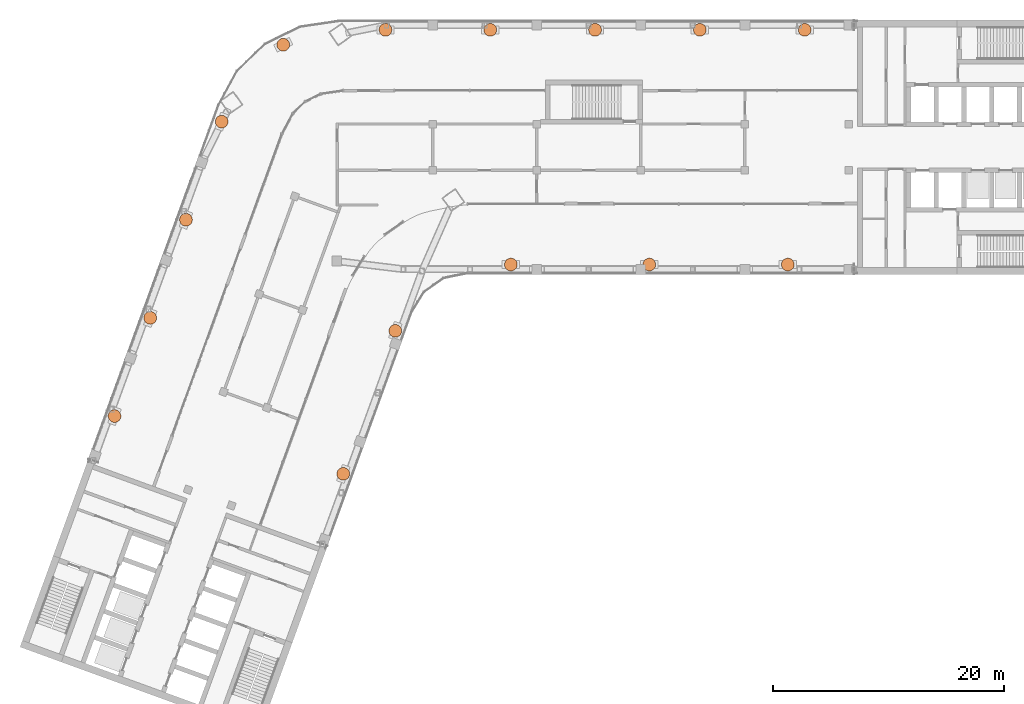
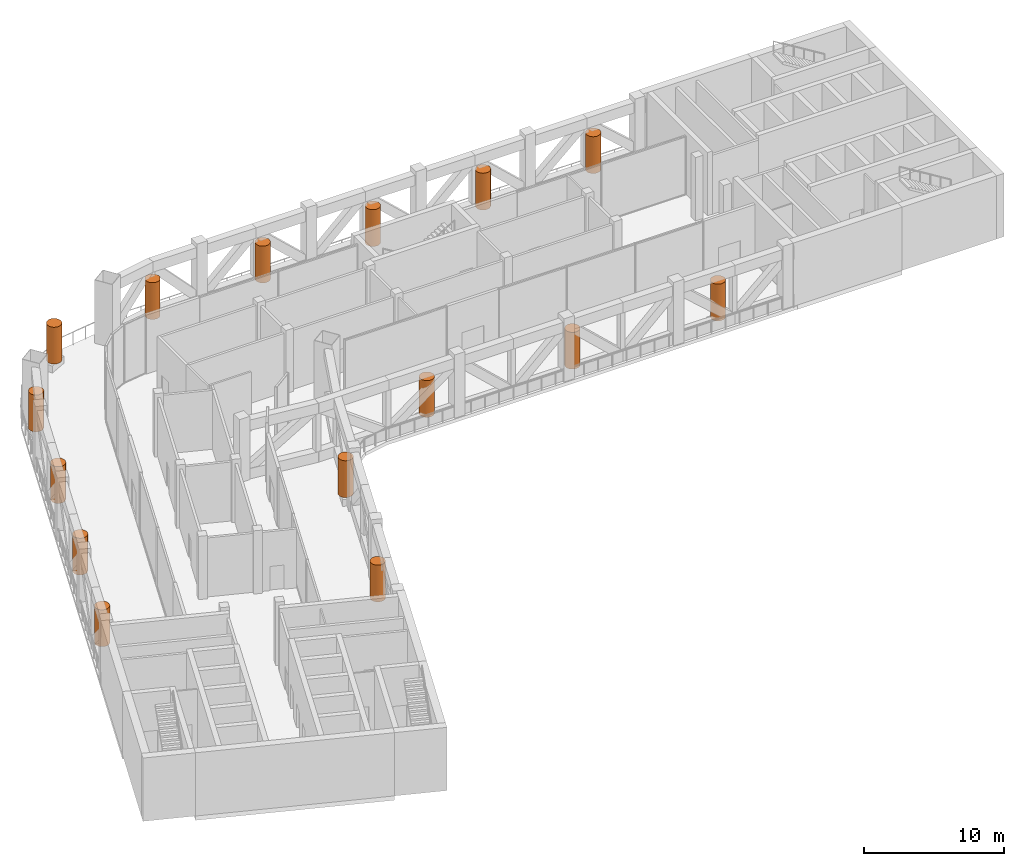
# One storey, part 19 of 19: 15 geographic elements.
"""IFC4 building model written with IfcOpenShell, lengths in metres."""

import ifcopenshell
import ifcopenshell.guid

model = None  # the IFC model being written
_history = None  # IfcOwnerHistory: only IFC2X3 demands one
_inside = {}  # id of a spatial element -> (the spatial element, [elements in it])
_under = {}  # id of a project, library or spatial element -> (it, [spatial elements below it])
_declared = {}  # id of a project -> (the project, [libraries it declares])
_typed = {}  # id of a type object -> (the type object, [elements of that type])
_made_of = {}  # id of a material, layer set ... -> (it, [elements and type objects made of it])


def new_model(schema):
    """Start an empty IFC model of exactly this schema.

    Asked for "IFC4X3", IfcOpenShell would pick the latest addendum, in which some entities
    have other attributes; the version numbers below select the first issue.
    IFC2X3 requires an IfcOwnerHistory on every rooted entity: one is made here for all.
    """
    global model, _history
    if schema == "IFC4X3":
        model = ifcopenshell.file(schema_version=(4, 3, 0, 0))
    else:
        model = ifcopenshell.file(schema=schema)
    _inside.clear()
    _under.clear()
    _declared.clear()
    _typed.clear()
    _made_of.clear()
    _history = None
    if model.schema == "IFC2X3":
        org = make("IfcOrganization", Name="unknown")
        user = make(
            "IfcPersonAndOrganization",
            ThePerson=make("IfcPerson", FamilyName="unknown"),
            TheOrganization=org,
        )
        app = make(
            "IfcApplication",
            ApplicationDeveloper=org,
            Version="unknown",
            ApplicationFullName="unknown",
            ApplicationIdentifier="unknown",
        )
        _history = make(
            "IfcOwnerHistory",
            OwningUser=user,
            OwningApplication=app,
            ChangeAction="ADDED",
            CreationDate=0,
        )
    return model


def make(cls, **values):
    """One entity of the class cls with the attributes given. An attribute that is None is left unset."""
    return model.create_entity(
        cls, **{name: value for name, value in values.items() if value is not None}
    )


def rooted(cls, **values):
    """An entity with a GlobalId (a new one), such as an element, a storey or a relation."""
    return make(cls, GlobalId=ifcopenshell.guid.new(), OwnerHistory=_history, **values)


def si_unit(unit_type, name, prefix=None):
    """IfcSIUnit, for example si_unit("LENGTHUNIT", "METRE", prefix="MILLI")."""
    return make("IfcSIUnit", UnitType=unit_type, Prefix=prefix, Name=name)


def assignment(units):
    """IfcUnitAssignment: the units of a project."""
    return None if units is None else make("IfcUnitAssignment", Units=units)


def point(xyz):
    """IfcCartesianPoint."""
    return None if xyz is None else make("IfcCartesianPoint", Coordinates=xyz)


def direction(xyz):
    """IfcDirection."""
    return None if xyz is None else make("IfcDirection", DirectionRatios=xyz)


def frame(location, z_axis=None, x_axis=None):
    """IfcAxis2Placement3D, a coordinate frame: its origin and axes. An axis left out is left unset."""
    return make(
        "IfcAxis2Placement3D",
        Location=point(location),
        Axis=direction(z_axis),
        RefDirection=direction(x_axis),
    )


def frame_2d(location, x_axis=None):
    """IfcAxis2Placement2D, a coordinate frame in the plane: its origin and x axis."""
    return make(
        "IfcAxis2Placement2D", Location=point(location), RefDirection=direction(x_axis)
    )


def origin():
    """The frame at (0, 0, 0) with its axes left unset."""
    return frame((0.0, 0.0, 0.0))


def origin_2d():
    """The frame at (0, 0) in the plane with its x axis left unset."""
    return frame_2d((0.0, 0.0))


def place(relative_to, where):
    """IfcLocalPlacement: puts the frame where relative to a parent placement (None: the world)."""
    return make(
        "IfcLocalPlacement", PlacementRelTo=relative_to, RelativePlacement=where
    )


def context(
    kind, dimensions, precision=None, world=None, true_north=None, identifier=None
):
    """IfcGeometricRepresentationContext, for example the 3D "Model" context."""
    return make(
        "IfcGeometricRepresentationContext",
        ContextIdentifier=identifier,
        ContextType=kind,
        CoordinateSpaceDimension=dimensions,
        Precision=precision,
        WorldCoordinateSystem=world,
        TrueNorth=true_north,
    )


def subcontext(parent, identifier, kind, view, scale=None):
    """IfcGeometricRepresentationSubContext, for example "Body" below "Model"."""
    return make(
        "IfcGeometricRepresentationSubContext",
        ContextIdentifier=identifier,
        ContextType=kind,
        ParentContext=parent,
        TargetScale=scale,
        TargetView=view,
    )


def project(units=None, contexts=None):
    """IfcProject with its units and contexts."""
    return rooted(
        "IfcProject",
        Name="project",
        RepresentationContexts=contexts,
        UnitsInContext=assignment(units),
    )


def spatial(cls, under=None, at=None, **own):
    """A site, building, storey or space (cls), placed at a placement, below another one or the project."""
    s = rooted(cls, ObjectPlacement=at, **own)
    if under is not None:
        _under.setdefault(under.id(), (under, []))[1].append(s)
    return s


def profile(cls, at=None, kind="AREA", **sizes):
    """A parametric profile (cls). Its sizes go by their IFC names, for example OverallWidth=200.0."""
    return make(cls, ProfileType=kind, Position=at, **sizes)


def circle(**sizes):
    """IfcCircleProfileDef."""
    return profile("IfcCircleProfileDef", **sizes)


def extrude(swept, where, along, depth):
    """IfcExtrudedAreaSolid: the profile swept, set in the frame where, extruded along a direction by depth."""
    return make(
        "IfcExtrudedAreaSolid",
        SweptArea=swept,
        Position=where,
        ExtrudedDirection=direction(along),
        Depth=depth,
    )


def shape(context_of_items, identifier, shape_type, items):
    """IfcShapeRepresentation: the items that make up one representation, for example the "Body"."""
    return make(
        "IfcShapeRepresentation",
        ContextOfItems=context_of_items,
        RepresentationIdentifier=identifier,
        RepresentationType=shape_type,
        Items=items,
    )


def made_of(thing, what):
    """Note that an element or type object is made of a material, layer set ...; save() writes the relation."""
    if what is not None:
        _made_of.setdefault(what.id(), (what, []))[1].append(thing)
    return thing


def element(
    cls,
    number,
    at=None,
    inside=None,
    cuts=None,
    type_object=None,
    material=None,
    context=None,
    identifier="Body",
    shape_type=None,
    held_by="IfcProductDefinitionShape",
    body=None,
    shapes=None,
    **own,
):
    """One element of the class cls, such as IfcWall. Its Tag is "e" and its number.

    at: its placement. inside: the storey or other place that contains it. cuts: it is an
    opening in that element (IfcRelVoidsElement). A single representation is given by context,
    identifier, shape_type and body (its items); several are given by shapes. held_by: the class
    of the entity that holds the representations. save() writes the other relations.
    """
    e = rooted(cls, Tag="e%d" % number, ObjectPlacement=at, **own)
    if body is not None:
        shapes = [shape(context, identifier, shape_type, body)]
    if shapes is not None:
        e.Representation = make(held_by, Representations=shapes)
    if inside is not None:
        _inside.setdefault(inside.id(), (inside, []))[1].append(e)
    if cuts is not None:
        rooted(
            "IfcRelVoidsElement", RelatingBuildingElement=cuts, RelatedOpeningElement=e
        )
    if type_object is not None:
        _typed.setdefault(type_object.id(), (type_object, []))[1].append(e)
    return made_of(e, material)


def aggregate(whole, parts):
    """IfcRelAggregates: a whole, such as a stair, and the parts it consists of."""
    return rooted("IfcRelAggregates", RelatingObject=whole, RelatedObjects=parts)


def save(model, path):
    """Write the relations noted so far, then the file.

    IfcRelAggregates (storeys below a building ...), IfcRelContainedInSpatialStructure (elements
    in a storey), IfcRelDefinesByType, IfcRelAssociatesMaterial and IfcRelDeclares: one each for
    every whole, place, type object, material and project.
    """
    for whole, parts in _under.values():
        aggregate(whole, parts)
    for where, things in _inside.values():
        rooted(
            "IfcRelContainedInSpatialStructure",
            RelatedElements=things,
            RelatingStructure=where,
        )
    for kind, things in _typed.values():
        rooted("IfcRelDefinesByType", RelatedObjects=things, RelatingType=kind)
    for what, things in _made_of.values():
        rooted("IfcRelAssociatesMaterial", RelatedObjects=things, RelatingMaterial=what)
    for by, libraries in _declared.values():
        rooted("IfcRelDeclares", RelatingContext=by, RelatedDefinitions=libraries)
    model.write(path)


model = new_model("IFC4")

# Units and contexts
model_context = context("Model", 3, precision=1e-05, world=origin(), true_north=direction((0.0, 1.0)))
body_context = subcontext(model_context, "Body", "Model", "MODEL_VIEW")
ifc_project = project(units=[si_unit("LENGTHUNIT", "METRE"), si_unit("AREAUNIT", "SQUARE_METRE"), si_unit("VOLUMEUNIT", "CUBIC_METRE"), si_unit("PLANEANGLEUNIT", "RADIAN"), si_unit("MASSUNIT", "GRAM", prefix="KILO")], contexts=[model_context])

# Site, building, storey
site_placement = place(None, origin())
site = spatial("IfcSite", under=ifc_project, at=site_placement, CompositionType="ELEMENT")
building_placement = place(site_placement, origin())
building = spatial("IfcBuilding", under=site, at=building_placement, Name="Skarvind Civic Tower", CompositionType="ELEMENT")
storey_placement = place(building_placement, frame((0.0, 0.0, 129.0)))
storey = spatial("IfcBuildingStorey", under=building, at=storey_placement, Name="L30", CompositionType="ELEMENT", Elevation=129.0)

# Geographic elements
for number, where, z_axis, x_axis, name in (
    (1, (41.32861328125, 136.861083984375, 0.60009765625), (0.0, 0.0, 1.0), (1.0, 0.0, 0.0), "TERRACE TREE"),
    (2, (50.166748046875, 138.14990234375, 0.60009765625), (0.0, 0.0, 1.0), (1.0, 0.0, 0.0), "TERRACE TREE"),
    (3, (59.2294921875, 138.14990234375, 0.60009765625), (0.0, 0.0, 1.0), (1.0, 0.0, 0.0), "TERRACE TREE"),
    (4, (68.29248046875, 138.14990234375, 0.60009765625), (0.0, 0.0, 1.0), (1.0, 0.0, 0.0), "TERRACE TREE"),
    (5, (77.355712890625, 138.14990234375, 0.60009765625), (0.0, 0.0, 1.0), (1.0, 0.0, 0.0), "TERRACE TREE"),
    (6, (86.41845703125, 138.14990234375, 0.60009765625), (0.0, 0.0, 1.0), (1.0, 0.0, 0.0), "TERRACE TREE"),
    (7, (26.73681640625, 104.75146484375, 0.60009765625), (0.0, 0.0, 1.0), (1.0, 0.0, 0.0), "TERRACE TREE"),
    (8, (29.825439453125, 113.2373046875, 0.60009765625), (0.0, 0.0, 1.0), (1.0, 0.0, 0.0), "TERRACE TREE"),
    (9, (32.9140625, 121.72314453125, 0.60009765625), (0.0, 0.0, 1.0), (1.0, 0.0, 0.0), "TERRACE TREE"),
    (10, (36.002685546875, 130.208984375, 0.60009765625), (0.0, 0.0, 1.0), (1.0, 0.0, 0.0), "TERRACE TREE"),
    (11, (51.02099609375, 112.1181640625, 0.60009765625), (0.0, 0.0, 1.0), (1.0, 0.0, 0.0), "TERRACE TREE"),
    (12, (46.519287109375, 99.749755859375, 0.60009765625), (0.0, 0.0, 1.0), (1.0, 0.0, 0.0), "TERRACE TREE"),
    (13, (84.9619140625, 117.85009765625, 0.60009765625), (0.0, 0.0, 1.0), (1.0, 0.0, 0.0), "TERRACE TREE"),
    (14, (72.98583984375, 117.85009765625, 0.60009765625), (0.0, 0.0, 1.0), (1.0, 0.0, 0.0), "TERRACE TREE"),
    (15, (61.009765625, 117.85009765625, 0.60009765625), (0.0, 0.0, 1.0), (1.0, 0.0, 0.0), "TERRACE TREE"),
):
    element("IfcGeographicElement", number, at=place(storey_placement, frame(where, z_axis=z_axis, x_axis=x_axis)), inside=storey, Name=name, ObjectType="TREE", PredefinedType="USERDEFINED", context=body_context, shape_type="SweptSolid", body=[
        extrude(circle(Radius=0.550048828125, at=origin_2d()), origin(), (0.0, 0.0, 1.0), 3.199951171875),
    ])

save(model, "model.ifc")
